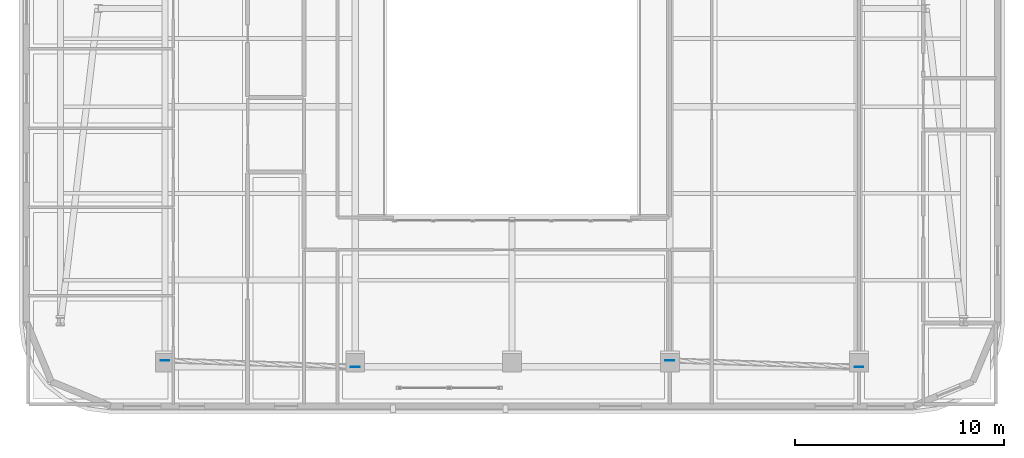
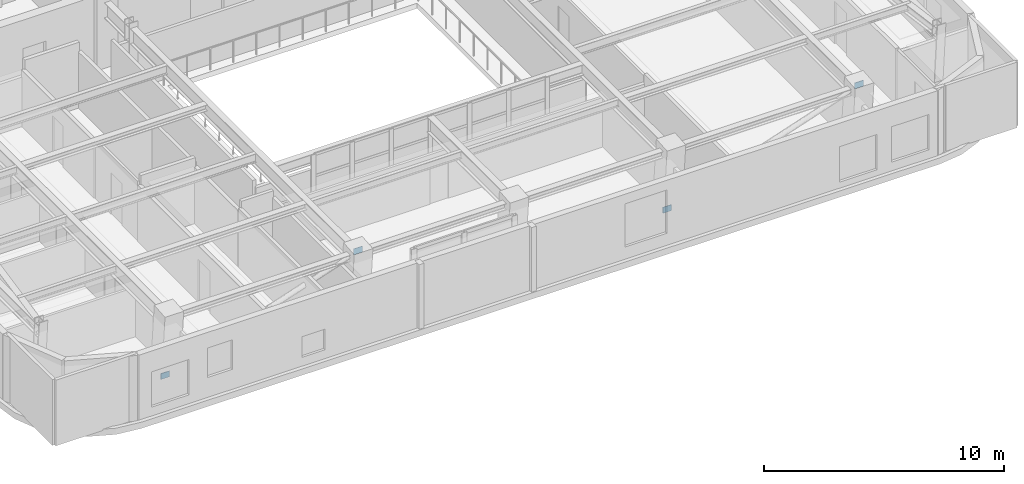
# One storey, part 5 of 14: 4 plates.
"""IFC4 building model written with IfcOpenShell, lengths in metres."""

from ifc_helpers import new_model, si_unit, direction, frame, origin, origin_2d, place, context, subcontext, project, spatial, rectangle, extrude, material, layer, layer_set, type_object, element, save


model = new_model("IFC4")

# Units and contexts
model_context = context("Model", 3, precision=1e-05, world=origin(), true_north=direction((0.0, 1.0)))
body_context = subcontext(model_context, "Body", "Model", "MODEL_VIEW")
ifc_project = project(units=[si_unit("LENGTHUNIT", "METRE"), si_unit("AREAUNIT", "SQUARE_METRE"), si_unit("VOLUMEUNIT", "CUBIC_METRE"), si_unit("PLANEANGLEUNIT", "RADIAN"), si_unit("MASSUNIT", "GRAM", prefix="KILO")], contexts=[model_context])

# Site, building, storey
site_placement = place(None, origin())
site = spatial("IfcSite", under=ifc_project, at=site_placement, CompositionType="ELEMENT")
building_placement = place(site_placement, origin())
building = spatial("IfcBuilding", under=site, at=building_placement, Name="Zarnavel Station Tower", CompositionType="ELEMENT")
storey_placement = place(building_placement, frame((0.0, 0.0, 214.800048828125)))
storey = spatial("IfcBuildingStorey", under=building, at=storey_placement, Name="L58", CompositionType="ELEMENT", Elevation=214.800048828125)

# Plates
ifc_material = material(Name="Steel S460M", Category="steel")
ifc_layer = layer(ifc_material, 0.02490234375)
ifc_layer_set = layer_set([ifc_layer], Name="GP_GUSSET_25")
plate_type = type_object("IfcPlateType", Name="GP_GUSSET_25", PredefinedType="USERDEFINED", material=ifc_layer_set)
for number, where, z_axis, x_axis, name in (
    (1, (12.199951171875, 6.7626953125, -0.14990234375), (0.0, 0.0, 1.0), (1.0, 0.0, 0.0), "L58 Exterior Diagonal Brace End Gusset 1-1"),
    (2, (21.300048828125, 6.460205078125, 3.18994140625), (0.0, 0.0, 1.0), (1.0, 0.0, 0.0), "L58 Exterior Diagonal Brace End Gusset 1-2"),
    (3, (36.35009765625, 6.7626953125, -0.14990234375), (0.0, 0.0, 1.0), (1.0, 0.0, 0.0), "L58 Exterior Diagonal Brace End Gusset 2-1"),
    (4, (45.39990234375, 6.460205078125, 3.18994140625), (0.0, 0.0, 1.0), (1.0, 0.0, 0.0), "L58 Exterior Diagonal Brace End Gusset 2-2"),
):
    element("IfcPlate", number, at=place(storey_placement, frame(where, z_axis=z_axis, x_axis=x_axis)), inside=storey, type_object=plate_type, Name=name, ObjectType="GUSSET_PLATE", PredefinedType="USERDEFINED", context=body_context, shape_type="SweptSolid", body=[
        extrude(rectangle(XDim=0.419921875, YDim=0.02490234375, at=origin_2d()), origin(), (0.0, 0.0, 1.0), 0.300048828125),
    ])

save(model, "model.ifc")
